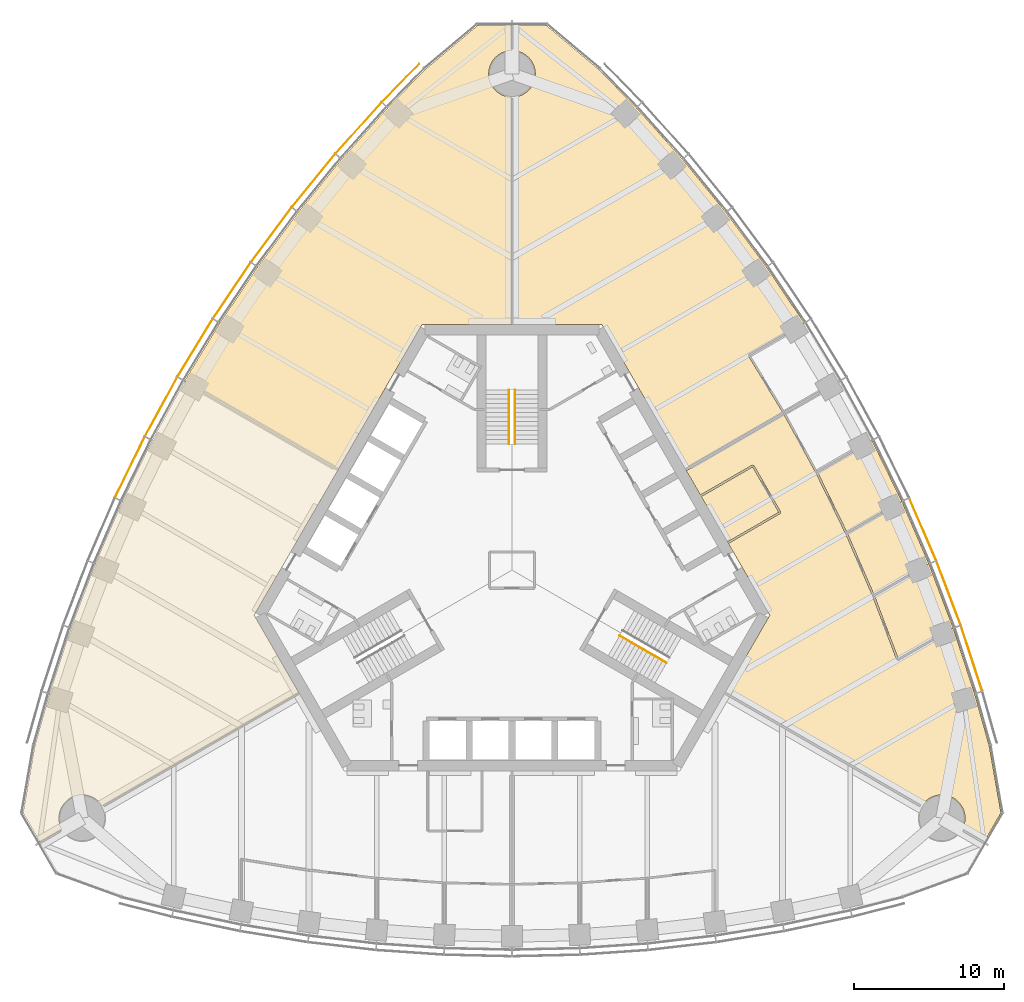
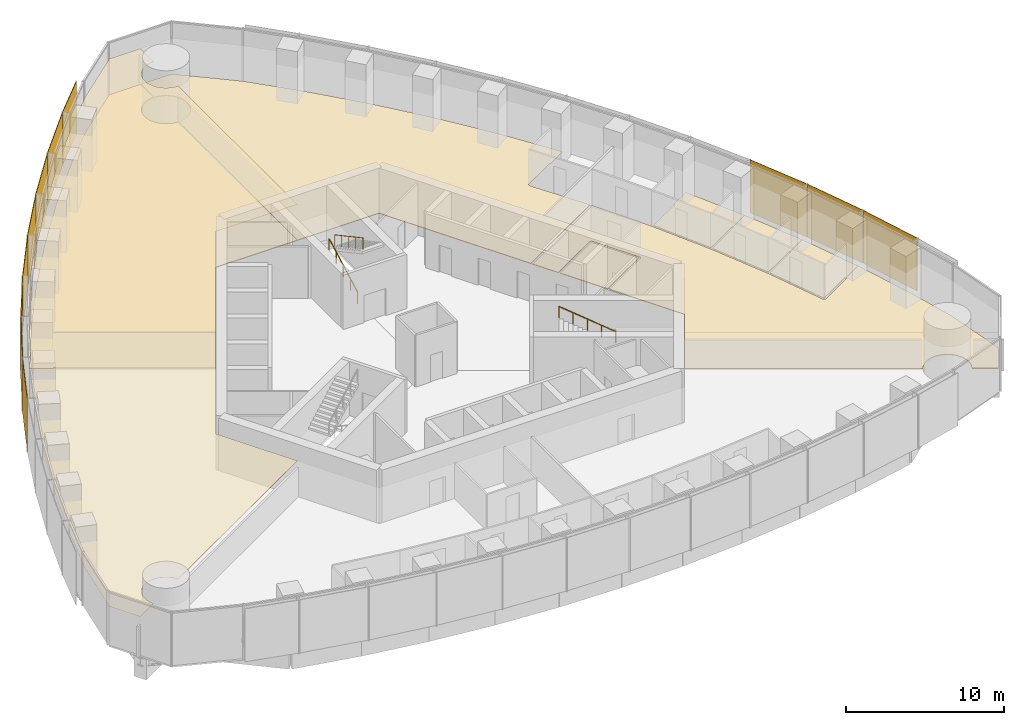
# One storey, part 15 of 18: 11 shading devices, 8 coverings, 3 railings.
"""IFC4 building model written with IfcOpenShell, lengths in metres."""

from ifc_helpers import new_model, si_unit, direction, frame, origin, origin_2d, place, context, subcontext, project, spatial, polyline, rectangle, circle, outline, extrude, material, layer, layer_set, type_object, element, save


model = new_model("IFC4")

# Units and contexts
model_context = context("Model", 3, precision=1e-05, world=origin(), true_north=direction((0.0, 1.0)))
body_context = subcontext(model_context, "Body", "Model", "MODEL_VIEW")
ifc_project = project(units=[si_unit("LENGTHUNIT", "METRE"), si_unit("AREAUNIT", "SQUARE_METRE"), si_unit("VOLUMEUNIT", "CUBIC_METRE"), si_unit("PLANEANGLEUNIT", "RADIAN"), si_unit("MASSUNIT", "GRAM", prefix="KILO")], contexts=[model_context])

# Site, building, storey
site_placement = place(None, origin())
site = spatial("IfcSite", under=ifc_project, at=site_placement, CompositionType="ELEMENT")
building_placement = place(site_placement, origin())
building = spatial("IfcBuilding", under=site, at=building_placement, Name="Trefoil Bronze Tower", CompositionType="ELEMENT")
storey_placement = place(building_placement, frame((0.0, 0.0, 252.699951171875)))
storey = spatial("IfcBuildingStorey", under=building, at=storey_placement, Name="L58", CompositionType="ELEMENT", Elevation=252.699951171875)

# Shading devices
ifc_material_1 = material(Name="Perforated bronze sheet", Category="bronze")
ifc_layer_1 = layer(ifc_material_1, 0.0400390625)
ifc_layer_set_1 = layer_set([ifc_layer_1], Name="Bronze solar screen panel")
shading_device_type = type_object("IfcShadingDeviceType", Name="Bronze solar screen panel", PredefinedType="SHUTTER", material=ifc_layer_set_1)
shading_device_1_placement = place(storey_placement, frame((30.5634765625, -5.86572265625, 0.050048828125), z_axis=(0.0, 0.0, 1.0), x_axis=(-0.310148591821, 0.950688093431, 0.0)))
element("IfcShadingDevice", 1, at=shading_device_1_placement, inside=storey, type_object=shading_device_type, Name="Solar screen CW-A L58 F2 bay 2", PredefinedType="SHUTTER", context=body_context, shape_type="SweptSolid", body=[
    extrude(rectangle(XDim=4.5693359375, YDim=0.0400390625, at=origin_2d()), origin(), (0.0, 0.0, 1.0), 4.10009765625),
])
shading_device_2_placement = place(storey_placement, frame((29.0341796875, -1.52392578125, 0.050048828125), z_axis=(0.0, 0.0, 1.0), x_axis=(-0.354233936517, 0.935156841508, 0.0)))
element("IfcShadingDevice", 2, at=shading_device_2_placement, inside=storey, type_object=shading_device_type, Name="Solar screen CW-A L58 F2 bay 3", PredefinedType="SHUTTER", context=body_context, shape_type="SweptSolid", body=[
    extrude(rectangle(XDim=4.529296875, YDim=0.0400390625, at=origin_2d()), origin(), (0.0, 0.0, 1.0), 4.10009765625),
])
shading_device_3_placement = place(storey_placement, frame((27.317626953125, 2.709716796875, 0.050048828125), z_axis=(0.0, 0.0, 1.0), x_axis=(-0.397220305764, 0.917723285467, 0.0)))
element("IfcShadingDevice", 3, at=shading_device_3_placement, inside=storey, type_object=shading_device_type, Name="Solar screen CW-A L58 F2 bay 4", PredefinedType="SHUTTER", context=body_context, shape_type="SweptSolid", body=[
    extrude(rectangle(XDim=4.5, YDim=0.0400390625, at=origin_2d()), origin(), (0.0, 0.0, 1.0), 4.10009765625),
])
shading_device_4_placement = place(storey_placement, frame((-7.40478515625, 32.40380859375, 0.050048828125), z_axis=(0.0, 0.0, 1.0), x_axis=(-0.698651812425, -0.715461840349, 0.0)))
element("IfcShadingDevice", 4, at=shading_device_4_placement, inside=storey, type_object=shading_device_type, Name="Solar screen CW-A L58 F3 bay 1", PredefinedType="SHUTTER", context=body_context, shape_type="SweptSolid", body=[
    extrude(rectangle(XDim=3.53369140625, YDim=0.0400390625, at=origin_2d()), origin(), (0.0, 0.0, 1.0), 4.10009765625),
])
shading_device_5_placement = place(storey_placement, frame((-10.20166015625, 29.401611328125, 0.050048828125), z_axis=(0.0, 0.0, 1.0), x_axis=(-0.668245744076, -0.743940606181, 0.0)))
element("IfcShadingDevice", 5, at=shading_device_5_placement, inside=storey, type_object=shading_device_type, Name="Solar screen CW-A L58 F3 bay 2", PredefinedType="SHUTTER", context=body_context, shape_type="SweptSolid", body=[
    extrude(rectangle(XDim=4.5693359375, YDim=0.0400390625, at=origin_2d()), origin(), (0.0, 0.0, 1.0), 4.10009765625),
])
shading_device_6_placement = place(storey_placement, frame((-13.197509765625, 25.90625, 0.050048828125), z_axis=(0.0, 0.0, 1.0), x_axis=(-0.63275261301, -0.774354008661, 0.0)))
element("IfcShadingDevice", 6, at=shading_device_6_placement, inside=storey, type_object=shading_device_type, Name="Solar screen CW-A L58 F3 bay 3", PredefinedType="SHUTTER", context=body_context, shape_type="SweptSolid", body=[
    extrude(rectangle(XDim=4.529296875, YDim=0.0400390625, at=origin_2d()), origin(), (0.0, 0.0, 1.0), 4.10009765625),
])
shading_device_7_placement = place(storey_placement, frame((-16.005615234375, 22.302734375, 0.050048828125), z_axis=(0.0, 0.0, 1.0), x_axis=(-0.596161525977, -0.802864518425, 0.0)))
element("IfcShadingDevice", 7, at=shading_device_7_placement, inside=storey, type_object=shading_device_type, Name="Solar screen CW-A L58 F3 bay 4", PredefinedType="SHUTTER", context=body_context, shape_type="SweptSolid", body=[
    extrude(rectangle(XDim=4.5, YDim=0.0400390625, at=origin_2d()), origin(), (0.0, 0.0, 1.0), 4.10009765625),
])
shading_device_8_placement = place(storey_placement, frame((-18.6298828125, 18.59326171875, 0.050048828125), z_axis=(0.0, 0.0, 1.0), x_axis=(-0.558493494706, -0.829508900718, 0.0)))
element("IfcShadingDevice", 8, at=shading_device_8_placement, inside=storey, type_object=shading_device_type, Name="Solar screen CW-A L58 F3 bay 5", PredefinedType="SHUTTER", context=body_context, shape_type="SweptSolid", body=[
    extrude(rectangle(XDim=4.480712890625, YDim=0.0400390625, at=origin_2d()), origin(), (0.0, 0.0, 1.0), 4.10009765625),
])
for number, where, z_axis, x_axis, name in (
    (9, (-21.07275390625, 14.77880859375, 0.050048828125), (0.0, 0.0, 1.0), (-0.519762112739, -0.854311035959, 0.0), "Solar screen CW-A L58 F3 bay 6"),
    (10, (-23.3349609375, 10.860107421875, 0.050048828125), (0.0, 0.0, 1.0), (-0.479974003504, -0.877282711536, 0.0), "Solar screen CW-A L58 F3 bay 7"),
):
    element("IfcShadingDevice", number, at=place(storey_placement, frame(where, z_axis=z_axis, x_axis=x_axis)), inside=storey, type_object=shading_device_type, Name=name, PredefinedType="SHUTTER", context=body_context, shape_type="SweptSolid", body=[
        extrude(rectangle(XDim=4.47119140625, YDim=0.0400390625, at=origin_2d()), origin(), (0.0, 0.0, 1.0), 4.10009765625),
    ])
shading_device_9_placement = place(storey_placement, frame((-25.4169921875, 6.83740234375, 0.050048828125), z_axis=(0.0, 0.0, 1.0), x_axis=(-0.439129033334, -0.898424004623, 0.0)))
element("IfcShadingDevice", 11, at=shading_device_9_placement, inside=storey, type_object=shading_device_type, Name="Solar screen CW-A L58 F3 bay 8", PredefinedType="SHUTTER", context=body_context, shape_type="SweptSolid", body=[
    extrude(rectangle(XDim=4.480712890625, YDim=0.0400390625, at=origin_2d()), origin(), (0.0, 0.0, 1.0), 4.10009765625),
])

# Railings
ifc_material_2 = material(Name="Steel handrail", Category="steel")
railing_type = type_object("IfcRailingType", Name="Handrail 900", PredefinedType="HANDRAIL", material=ifc_material_2)
railing_1_placement = place(storey_placement, frame((10.28369140625, -6.168212890625, 2.261474609375)))
element("IfcRailing", 12, at=railing_1_placement, inside=storey, type_object=railing_type, Name="Handrail ST1 flight 2 L58", PredefinedType="HANDRAIL", context=body_context, shape_type="SweptSolid", body=[
    extrude(circle(Radius=0.02392578125, at=origin_2d()), frame((0.0, 0.0, 0.8759765625), z_axis=(-0.76250339821, 0.440245697338, 0.474101564745), x_axis=(-0.500012057535, -0.866018442252, 0.0)), (0.0, 0.0, 1.0), 4.088623046875),
    extrude(circle(Radius=0.02099609375, at=origin_2d()), origin(), (0.0, 0.0, 1.0), 0.851806640625),
    extrude(circle(Radius=0.02099609375, at=origin_2d()), frame((-0.779296875, 0.449951171875, 0.484619140625)), (0.0, 0.0, 1.0), 0.851806640625),
    extrude(circle(Radius=0.02099609375, at=origin_2d()), frame((-1.558837890625, 0.89990234375, 0.96923828125)), (0.0, 0.0, 1.0), 0.851806640625),
    extrude(circle(Radius=0.02099609375, at=origin_2d()), frame((-2.33837890625, 1.35009765625, 1.453857421875)), (0.0, 0.0, 1.0), 0.851806640625),
    extrude(circle(Radius=0.02099609375, at=origin_2d()), frame((-3.11767578125, 1.800048828125, 1.9384765625)), (0.0, 0.0, 1.0), 0.851806640625),
])
railing_2_placement = place(storey_placement, frame((-0.199951171875, 8.389892578125, 0.16162109375)))
element("IfcRailing", 13, at=railing_2_placement, inside=storey, type_object=railing_type, Name="Handrail ST2 flight 1 L58", PredefinedType="HANDRAIL", context=body_context, shape_type="SweptSolid", body=[
    extrude(circle(Radius=0.02392578125, at=origin_2d()), frame((0.0, 0.0, 0.8759765625), z_axis=(0.0, 0.880474934443, 0.474092701714), x_axis=(-1.0, 0.0, 0.0)), (0.0, 0.0, 1.0), 4.0888671875),
    extrude(circle(Radius=0.02099609375, at=origin_2d()), origin(), (0.0, 0.0, 1.0), 0.851806640625),
    extrude(circle(Radius=0.02099609375, at=origin_2d()), frame((0.0, 0.89990234375, 0.484619140625)), (0.0, 0.0, 1.0), 0.851806640625),
    extrude(circle(Radius=0.02099609375, at=origin_2d()), frame((0.0, 1.800048828125, 0.96923828125)), (0.0, 0.0, 1.0), 0.851806640625),
    extrude(circle(Radius=0.02099609375, at=origin_2d()), frame((0.0, 2.7001953125, 1.453857421875)), (0.0, 0.0, 1.0), 0.851806640625),
    extrude(circle(Radius=0.02099609375, at=origin_2d()), frame((0.0, 3.60009765625, 1.9384765625)), (0.0, 0.0, 1.0), 0.851806640625),
])
railing_3_placement = place(storey_placement, frame((0.199951171875, 11.989990234375, 2.261474609375)))
element("IfcRailing", 14, at=railing_3_placement, inside=storey, type_object=railing_type, Name="Handrail ST2 flight 2 L58", PredefinedType="HANDRAIL", context=body_context, shape_type="SweptSolid", body=[
    extrude(circle(Radius=0.02392578125, at=origin_2d()), frame((0.0, 0.0, 0.8759765625), z_axis=(0.0, -0.880474934443, 0.474092701714), x_axis=(1.0, 0.0, 0.0)), (0.0, 0.0, 1.0), 4.0888671875),
    extrude(circle(Radius=0.02099609375, at=origin_2d()), origin(), (0.0, 0.0, 1.0), 0.851806640625),
    extrude(circle(Radius=0.02099609375, at=origin_2d()), frame((0.0, -0.89990234375, 0.484619140625)), (0.0, 0.0, 1.0), 0.851806640625),
    extrude(circle(Radius=0.02099609375, at=origin_2d()), frame((0.0, -1.800048828125, 0.96923828125)), (0.0, 0.0, 1.0), 0.851806640625),
    extrude(circle(Radius=0.02099609375, at=origin_2d()), frame((0.0, -2.7001953125, 1.453857421875)), (0.0, 0.0, 1.0), 0.851806640625),
    extrude(circle(Radius=0.02099609375, at=origin_2d()), frame((0.0, -3.60009765625, 1.9384765625)), (0.0, 0.0, 1.0), 0.851806640625),
])

# Coverings
ifc_material_3 = material(Name="Acoustic ceiling panels", Category="mineral fibre")
ifc_layer_2 = layer(ifc_material_3, 0.02001953125)
ifc_layer_set_2 = layer_set([ifc_layer_2], Name="Office ceiling 20")
covering_type_1 = type_object("IfcCoveringType", Name="Office ceiling 20", PredefinedType="CEILING", material=ifc_layer_set_2)
covering_1_placement = place(storey_placement, frame((0.0, 0.0, 2.900146484375)))
element("IfcCovering", 15, at=covering_1_placement, inside=storey, type_object=covering_type_1, Name="Ceiling L58 PA area F3", PredefinedType="CEILING", context=body_context, shape_type="SweptSolid", body=[
    extrude(outline(polyline([(-30.76318359375, -8.219482421875), (-29.3369140625, -3.846923828125), (-27.7216796875, 0.416748046875), (-25.92236328125, 4.573974609375), (-23.94140625, 8.62646484375), (-21.781005859375, 12.5751953125), (-19.44140625, 16.420654296875), (-16.92236328125, 20.162353515625), (-14.2216796875, 23.79931640625), (-11.3369140625, 27.329833984375), (-8.26318359375, 30.751708984375), (-5.7734375, 33.30126953125), (-2.280029296875, 36.232666015625), (-0.013671875, 36.232666015625), (-0.012939453125, 34.5498046875), (-0.076171875, 34.548095703125), (-0.15185546875, 34.54248046875), (-0.227294921875, 34.533203125), (-0.302490234375, 34.520263671875), (-0.376708984375, 34.50341796875), (-0.449951171875, 34.4833984375), (-0.522216796875, 34.45947265625), (-0.59326171875, 34.431884765625), (-0.66259765625, 34.401123046875), (-0.730712890625, 34.366943359375), (-0.796875, 34.32958984375), (-0.861083984375, 34.288818359375), (-0.92333984375, 34.2451171875), (-0.9833984375, 34.1982421875), (-1.041015625, 34.1484375), (-1.095947265625, 34.095947265625), (-1.1484375, 34.041015625), (-1.1982421875, 33.9833984375), (-1.2451171875, 33.92333984375), (-1.288818359375, 33.861083984375), (-1.32958984375, 33.796875), (-1.366943359375, 33.730712890625), (-1.401123046875, 33.66259765625), (-1.431884765625, 33.59326171875), (-1.45947265625, 33.522216796875), (-1.4833984375, 33.449951171875), (-1.50341796875, 33.376708984375), (-1.520263671875, 33.302490234375), (-1.533203125, 33.227294921875), (-1.54248046875, 33.15185546875), (-1.548095703125, 33.076171875), (-1.550048828125, 33.0), (-1.548095703125, 32.923828125), (-1.54248046875, 32.84814453125), (-1.533203125, 32.772705078125), (-1.520263671875, 32.697509765625), (-1.50341796875, 32.623291015625), (-1.4833984375, 32.550048828125), (-1.45947265625, 32.477783203125), (-1.431884765625, 32.40673828125), (-1.401123046875, 32.33740234375), (-1.366943359375, 32.269287109375), (-1.32958984375, 32.203125), (-1.288818359375, 32.138916015625), (-1.2451171875, 32.07666015625), (-1.1982421875, 32.0166015625), (-1.1484375, 31.958984375), (-1.095947265625, 31.904052734375), (-1.041015625, 31.8515625), (-0.9833984375, 31.8017578125), (-0.92333984375, 31.7548828125), (-0.861083984375, 31.711181640625), (-0.796875, 31.67041015625), (-0.730712890625, 31.633056640625), (-0.66259765625, 31.598876953125), (-0.59326171875, 31.568115234375), (-0.522216796875, 31.54052734375), (-0.449951171875, 31.5166015625), (-0.376708984375, 31.49658203125), (-0.302490234375, 31.479736328125), (-0.227294921875, 31.466796875), (-0.15185546875, 31.45751953125), (-0.076171875, 31.451904296875), (-0.01171875, 31.4501953125), (-0.006103515625, 16.35009765625), (-5.9755859375, 16.35009765625), (-17.147216796875, -3.0), (-14.16259765625, -8.169677734375), (-27.24267578125, -15.71484375), (-27.2900390625, -15.638916015625), (-27.333984375, -15.57666015625), (-27.380615234375, -15.5166015625), (-27.430419921875, -15.458984375), (-27.48291015625, -15.404052734375), (-27.537841796875, -15.3515625), (-27.595458984375, -15.3017578125), (-27.655517578125, -15.2548828125), (-27.7177734375, -15.211181640625), (-27.781982421875, -15.17041015625), (-27.84814453125, -15.133056640625), (-27.916015625, -15.098876953125), (-27.985595703125, -15.068115234375), (-28.056640625, -15.04052734375), (-28.12890625, -15.0166015625), (-28.2021484375, -14.99658203125), (-28.2763671875, -14.979736328125), (-28.351318359375, -14.966796875), (-28.427001953125, -14.95751953125), (-28.502685546875, -14.951904296875), (-28.578857421875, -14.949951171875), (-28.65478515625, -14.951904296875), (-28.730712890625, -14.95751953125), (-28.806396484375, -14.966796875), (-28.881103515625, -14.979736328125), (-28.95556640625, -14.99658203125), (-29.02880859375, -15.0166015625), (-29.10107421875, -15.04052734375), (-29.172119140625, -15.068115234375), (-29.241455078125, -15.098876953125), (-29.3095703125, -15.133056640625), (-29.375732421875, -15.17041015625), (-29.43994140625, -15.211181640625), (-29.502197265625, -15.2548828125), (-29.56201171875, -15.3017578125), (-29.619873046875, -15.3515625), (-29.6748046875, -15.404052734375), (-29.727294921875, -15.458984375), (-29.777099609375, -15.5166015625), (-29.82373046875, -15.57666015625), (-29.86767578125, -15.638916015625), (-29.908203125, -15.703125), (-29.94580078125, -15.769287109375), (-29.97998046875, -15.83740234375), (-30.010986328125, -15.90673828125), (-30.0380859375, -15.977783203125), (-30.06201171875, -16.050048828125), (-30.08251953125, -16.123291015625), (-30.09912109375, -16.197509765625), (-30.112060546875, -16.272705078125), (-30.121337890625, -16.34814453125), (-30.126953125, -16.423828125), (-30.12890625, -16.5), (-30.126953125, -16.576171875), (-30.121337890625, -16.65185546875), (-30.112060546875, -16.727294921875), (-30.09912109375, -16.802490234375), (-30.08251953125, -16.876708984375), (-30.06201171875, -16.949951171875), (-30.0380859375, -17.022216796875), (-30.010986328125, -17.09326171875), (-29.97998046875, -17.16259765625), (-29.94580078125, -17.230712890625), (-29.92724609375, -17.263427734375), (-31.385009765625, -18.1044921875), (-32.518310546875, -16.1416015625), (-31.7265625, -11.650634765625), (-30.76318359375, -8.219482421875)])), origin(), (0.0, 0.0, 1.0), 0.02001953125),
])
ifc_material_4 = material(Name="Raised access floor panels", Category="steel")
ifc_layer_3 = layer(ifc_material_4, 0.050048828125)
ifc_layer_set_3 = layer_set([ifc_layer_3], Name="Raised access floor 150")
covering_type_2 = type_object("IfcCoveringType", Name="Raised access floor 150", PredefinedType="FLOORING", material=ifc_layer_set_3)
covering_2_placement = place(storey_placement, frame((0.0, 0.0, 0.10009765625)))
element("IfcCovering", 16, at=covering_2_placement, inside=storey, type_object=covering_type_2, Name="Raised floor L58 Meeting room F2", PredefinedType="FLOORING", context=body_context, shape_type="SweptSolid", body=[
    extrude(outline(polyline([(12.59130859375, 4.89111328125), (16.003662109375, 6.861083984375), (17.74365234375, 3.84716796875), (14.331298828125, 1.877197265625), (12.59130859375, 4.89111328125)])), origin(), (0.0, 0.0, 1.0), 0.050048828125),
])
covering_3_placement = place(storey_placement, frame((0.0, 0.0, 0.10009765625)))
element("IfcCovering", 17, at=covering_3_placement, inside=storey, type_object=covering_type_2, Name="Raised floor L58 Office F2", PredefinedType="FLOORING", context=body_context, shape_type="SweptSolid", body=[
    extrude(outline(polyline([(23.94140625, 8.62646484375), (25.92236328125, 4.573974609375), (24.591796875, 3.8056640625), (24.561767578125, 3.857666015625), (22.267333984375, 2.533203125), (20.33935546875, 6.4775390625), (22.64501953125, 7.80859375), (22.614990234375, 7.860595703125), (23.94140625, 8.62646484375)])), origin(), (0.0, 0.0, 1.0), 0.050048828125),
])
covering_4_placement = place(storey_placement, frame((0.0, 0.0, 0.10009765625)))
element("IfcCovering", 18, at=covering_4_placement, inside=storey, type_object=covering_type_2, Name="Raised floor L58 Office F2", PredefinedType="FLOORING", context=body_context, shape_type="SweptSolid", body=[
    extrude(outline(polyline([(25.92236328125, 4.573974609375), (27.7216796875, 0.416748046875), (26.384033203125, -0.355712890625), (26.35400390625, -0.3037109375), (24.0693359375, -1.622802734375), (22.318115234375, 2.423583984375), (24.62158203125, 3.75390625), (24.591796875, 3.8056640625), (25.92236328125, 4.573974609375)])), origin(), (0.0, 0.0, 1.0), 0.050048828125),
])
covering_5_placement = place(storey_placement, frame((0.0, 0.0, 0.10009765625)))
element("IfcCovering", 19, at=covering_5_placement, inside=storey, type_object=covering_type_2, Name="Raised floor L58 Meeting room F2", PredefinedType="FLOORING", context=body_context, shape_type="SweptSolid", body=[
    extrude(outline(polyline([(27.7216796875, 0.416748046875), (29.3369140625, -3.846923828125), (27.989013671875, -4.625244140625), (27.958984375, -4.5732421875), (25.687255859375, -5.884765625), (24.115234375, -1.73486328125), (26.4140625, -0.40771484375), (26.384033203125, -0.355712890625), (27.7216796875, 0.416748046875)])), origin(), (0.0, 0.0, 1.0), 0.050048828125),
])
covering_6_placement = place(storey_placement, frame((0.0, 0.0, 0.10009765625)))
element("IfcCovering", 20, at=covering_6_placement, inside=storey, type_object=covering_type_2, Name="Raised floor L58 PA area F2", PredefinedType="FLOORING", context=body_context, shape_type="SweptSolid", body=[
    extrude(outline(polyline([(14.2216796875, 23.79931640625), (16.92236328125, 20.162353515625), (19.44140625, 16.420654296875), (18.114990234375, 15.65478515625), (18.085205078125, 15.706787109375), (15.73095703125, 14.34765625), (15.760986328125, 14.295654296875), (15.709716796875, 14.264404296875), (18.009521484375, 10.484375), (11.53271484375, 6.7451171875), (11.569580078125, 6.680908203125), (11.560791015625, 6.67578125), (5.9755859375, 16.35009765625), (0.006103515625, 16.35009765625), (0.01171875, 31.4501953125), (0.076171875, 31.451904296875), (0.15185546875, 31.45751953125), (0.227294921875, 31.466796875), (0.302490234375, 31.479736328125), (0.376708984375, 31.49658203125), (0.449951171875, 31.5166015625), (0.522216796875, 31.54052734375), (0.59326171875, 31.568115234375), (0.66259765625, 31.598876953125), (0.730712890625, 31.633056640625), (0.796875, 31.67041015625), (0.861083984375, 31.711181640625), (0.92333984375, 31.7548828125), (0.9833984375, 31.8017578125), (1.041015625, 31.8515625), (1.095947265625, 31.904052734375), (1.1484375, 31.958984375), (1.1982421875, 32.0166015625), (1.2451171875, 32.07666015625), (1.288818359375, 32.138916015625), (1.32958984375, 32.203125), (1.366943359375, 32.269287109375), (1.401123046875, 32.33740234375), (1.431884765625, 32.40673828125), (1.45947265625, 32.477783203125), (1.4833984375, 32.550048828125), (1.50341796875, 32.623291015625), (1.520263671875, 32.697509765625), (1.533203125, 32.772705078125), (1.54248046875, 32.84814453125), (1.548095703125, 32.923828125), (1.550048828125, 33.0), (1.548095703125, 33.076171875), (1.54248046875, 33.15185546875), (1.533203125, 33.227294921875), (1.520263671875, 33.302490234375), (1.50341796875, 33.376708984375), (1.4833984375, 33.449951171875), (1.45947265625, 33.522216796875), (1.431884765625, 33.59326171875), (1.401123046875, 33.66259765625), (1.366943359375, 33.730712890625), (1.32958984375, 33.796875), (1.288818359375, 33.861083984375), (1.2451171875, 33.92333984375), (1.1982421875, 33.9833984375), (1.1484375, 34.041015625), (1.095947265625, 34.095947265625), (1.041015625, 34.1484375), (0.9833984375, 34.1982421875), (0.92333984375, 34.2451171875), (0.861083984375, 34.288818359375), (0.796875, 34.32958984375), (0.730712890625, 34.366943359375), (0.66259765625, 34.401123046875), (0.59326171875, 34.431884765625), (0.522216796875, 34.45947265625), (0.449951171875, 34.4833984375), (0.376708984375, 34.50341796875), (0.302490234375, 34.520263671875), (0.227294921875, 34.533203125), (0.15185546875, 34.54248046875), (0.076171875, 34.548095703125), (0.012939453125, 34.5498046875), (0.013671875, 36.232666015625), (2.280029296875, 36.232666015625), (5.7734375, 33.30126953125), (8.26318359375, 30.751708984375), (11.3369140625, 27.329833984375), (14.2216796875, 23.79931640625)])), origin(), (0.0, 0.0, 1.0), 0.050048828125),
])
covering_7_placement = place(storey_placement, frame((0.0, 0.0, 0.10009765625)))
element("IfcCovering", 21, at=covering_7_placement, inside=storey, type_object=covering_type_2, Name="Raised floor L58 PA area F2", PredefinedType="FLOORING", context=body_context, shape_type="SweptSolid", body=[
    extrude(outline(polyline([(14.391357421875, 1.773193359375), (17.85546875, 3.773193359375), (17.825439453125, 3.8251953125), (17.87744140625, 3.855224609375), (16.077392578125, 6.972900390625), (16.025390625, 6.94287109375), (15.99560546875, 6.994873046875), (12.531494140625, 4.994873046875), (11.56201171875, 6.674072265625), (11.570556640625, 6.67919921875), (11.607666015625, 6.614990234375), (18.08447265625, 10.3544921875), (20.20751953125, 6.473876953125), (22.187255859375, 2.423828125), (23.985595703125, -1.73095703125), (25.60009765625, -5.993408203125), (25.65625, -5.971923828125), (25.686279296875, -6.02392578125), (28.01904296875, -4.677001953125), (27.989013671875, -4.625244140625), (29.3369140625, -3.846923828125), (30.76318359375, -8.219482421875), (31.7265625, -11.650634765625), (32.518310546875, -16.1416015625), (31.385009765625, -18.1044921875), (29.92724609375, -17.263427734375), (29.94580078125, -17.230712890625), (29.97998046875, -17.16259765625), (30.010986328125, -17.09326171875), (30.0380859375, -17.022216796875), (30.06201171875, -16.949951171875), (30.08251953125, -16.876708984375), (30.09912109375, -16.802490234375), (30.112060546875, -16.727294921875), (30.121337890625, -16.65185546875), (30.126953125, -16.576171875), (30.12890625, -16.5), (30.126953125, -16.423828125), (30.121337890625, -16.34814453125), (30.112060546875, -16.272705078125), (30.09912109375, -16.197509765625), (30.08251953125, -16.123291015625), (30.06201171875, -16.050048828125), (30.0380859375, -15.977783203125), (30.010986328125, -15.90673828125), (29.97998046875, -15.83740234375), (29.94580078125, -15.769287109375), (29.908203125, -15.703125), (29.86767578125, -15.638916015625), (29.82373046875, -15.57666015625), (29.777099609375, -15.5166015625), (29.727294921875, -15.458984375), (29.6748046875, -15.404052734375), (29.619873046875, -15.3515625), (29.56201171875, -15.3017578125), (29.502197265625, -15.2548828125), (29.43994140625, -15.211181640625), (29.375732421875, -15.17041015625), (29.3095703125, -15.133056640625), (29.241455078125, -15.098876953125), (29.172119140625, -15.068115234375), (29.10107421875, -15.04052734375), (29.02880859375, -15.0166015625), (28.95556640625, -14.99658203125), (28.881103515625, -14.979736328125), (28.806396484375, -14.966796875), (28.730712890625, -14.95751953125), (28.65478515625, -14.951904296875), (28.578857421875, -14.949951171875), (28.502685546875, -14.951904296875), (28.427001953125, -14.95751953125), (28.351318359375, -14.966796875), (28.2763671875, -14.979736328125), (28.2021484375, -14.99658203125), (28.12890625, -15.0166015625), (28.056640625, -15.04052734375), (27.985595703125, -15.068115234375), (27.916015625, -15.098876953125), (27.84814453125, -15.133056640625), (27.781982421875, -15.17041015625), (27.7177734375, -15.211181640625), (27.655517578125, -15.2548828125), (27.595458984375, -15.3017578125), (27.537841796875, -15.3515625), (27.48291015625, -15.404052734375), (27.430419921875, -15.458984375), (27.380615234375, -15.5166015625), (27.333984375, -15.57666015625), (27.2900390625, -15.638916015625), (27.24267578125, -15.71484375), (14.16259765625, -8.169677734375), (17.147216796875, -3.0), (14.391357421875, 1.773193359375)])), origin(), (0.0, 0.0, 1.0), 0.050048828125),
])
covering_8_placement = place(storey_placement, frame((0.0, 0.0, 0.10009765625)))
element("IfcCovering", 22, at=covering_8_placement, inside=storey, type_object=covering_type_2, Name="Raised floor L58 PA area F3", PredefinedType="FLOORING", context=body_context, shape_type="SweptSolid", body=[
    extrude(outline(polyline([(-0.006103515625, 16.35009765625), (-5.9755859375, 16.35009765625), (-11.560791015625, 6.67578125), (-11.569580078125, 6.680908203125), (-11.53271484375, 6.7451171875), (-20.418701171875, 11.875244140625), (-20.45556640625, 11.811279296875), (-21.780517578125, 12.576171875), (-19.44140625, 16.420654296875), (-16.92236328125, 20.162353515625), (-14.2216796875, 23.79931640625), (-11.3369140625, 27.329833984375), (-8.26318359375, 30.751708984375), (-5.7734375, 33.30126953125), (-2.280029296875, 36.232666015625), (-0.013671875, 36.232666015625), (-0.012939453125, 34.5498046875), (-0.076171875, 34.548095703125), (-0.15185546875, 34.54248046875), (-0.227294921875, 34.533203125), (-0.302490234375, 34.520263671875), (-0.376708984375, 34.50341796875), (-0.449951171875, 34.4833984375), (-0.522216796875, 34.45947265625), (-0.59326171875, 34.431884765625), (-0.66259765625, 34.401123046875), (-0.730712890625, 34.366943359375), (-0.796875, 34.32958984375), (-0.861083984375, 34.288818359375), (-0.92333984375, 34.2451171875), (-0.9833984375, 34.1982421875), (-1.041015625, 34.1484375), (-1.095947265625, 34.095947265625), (-1.1484375, 34.041015625), (-1.1982421875, 33.9833984375), (-1.2451171875, 33.92333984375), (-1.288818359375, 33.861083984375), (-1.32958984375, 33.796875), (-1.366943359375, 33.730712890625), (-1.401123046875, 33.66259765625), (-1.431884765625, 33.59326171875), (-1.45947265625, 33.522216796875), (-1.4833984375, 33.449951171875), (-1.50341796875, 33.376708984375), (-1.520263671875, 33.302490234375), (-1.533203125, 33.227294921875), (-1.54248046875, 33.15185546875), (-1.548095703125, 33.076171875), (-1.550048828125, 33.0), (-1.548095703125, 32.923828125), (-1.54248046875, 32.84814453125), (-1.533203125, 32.772705078125), (-1.520263671875, 32.697509765625), (-1.50341796875, 32.623291015625), (-1.4833984375, 32.550048828125), (-1.45947265625, 32.477783203125), (-1.431884765625, 32.40673828125), (-1.401123046875, 32.33740234375), (-1.366943359375, 32.269287109375), (-1.32958984375, 32.203125), (-1.288818359375, 32.138916015625), (-1.2451171875, 32.07666015625), (-1.1982421875, 32.0166015625), (-1.1484375, 31.958984375), (-1.095947265625, 31.904052734375), (-1.041015625, 31.8515625), (-0.9833984375, 31.8017578125), (-0.92333984375, 31.7548828125), (-0.861083984375, 31.711181640625), (-0.796875, 31.67041015625), (-0.730712890625, 31.633056640625), (-0.66259765625, 31.598876953125), (-0.59326171875, 31.568115234375), (-0.522216796875, 31.54052734375), (-0.449951171875, 31.5166015625), (-0.376708984375, 31.49658203125), (-0.302490234375, 31.479736328125), (-0.227294921875, 31.466796875), (-0.15185546875, 31.45751953125), (-0.076171875, 31.451904296875), (-0.01171875, 31.4501953125), (-0.006103515625, 16.35009765625)])), origin(), (0.0, 0.0, 1.0), 0.050048828125),
])

save(model, "model.ifc")
